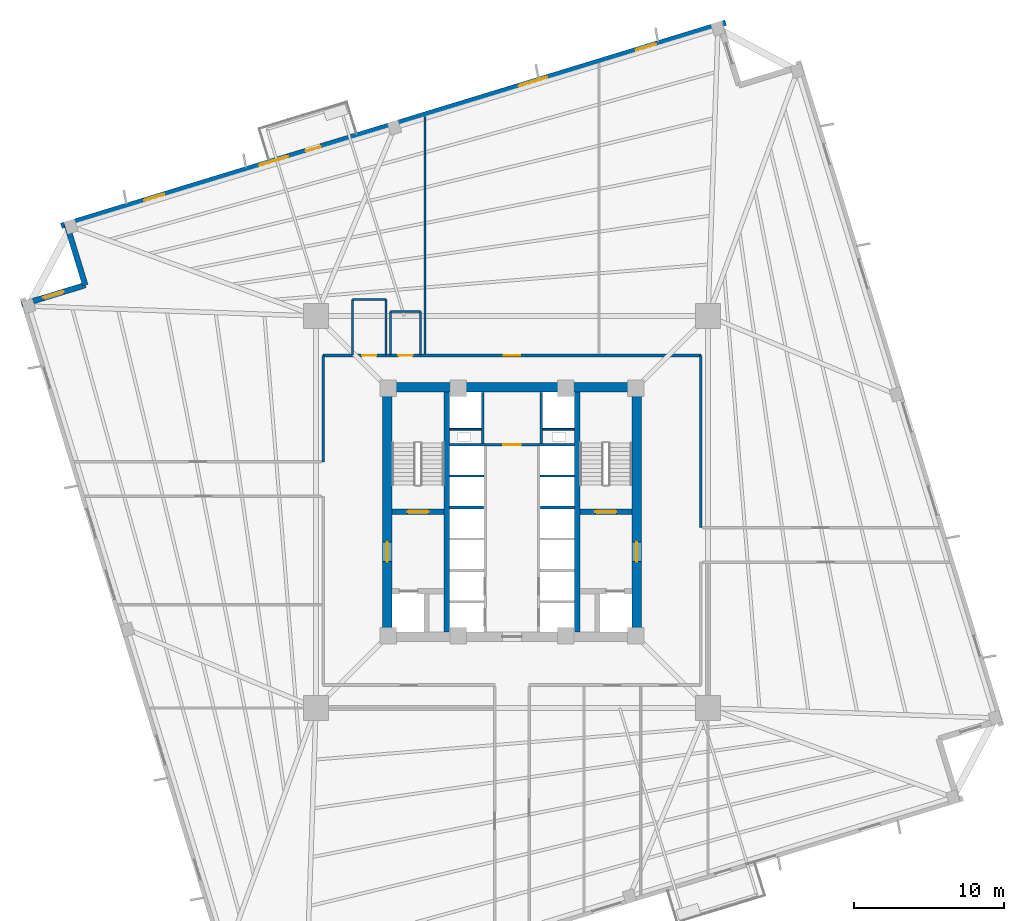
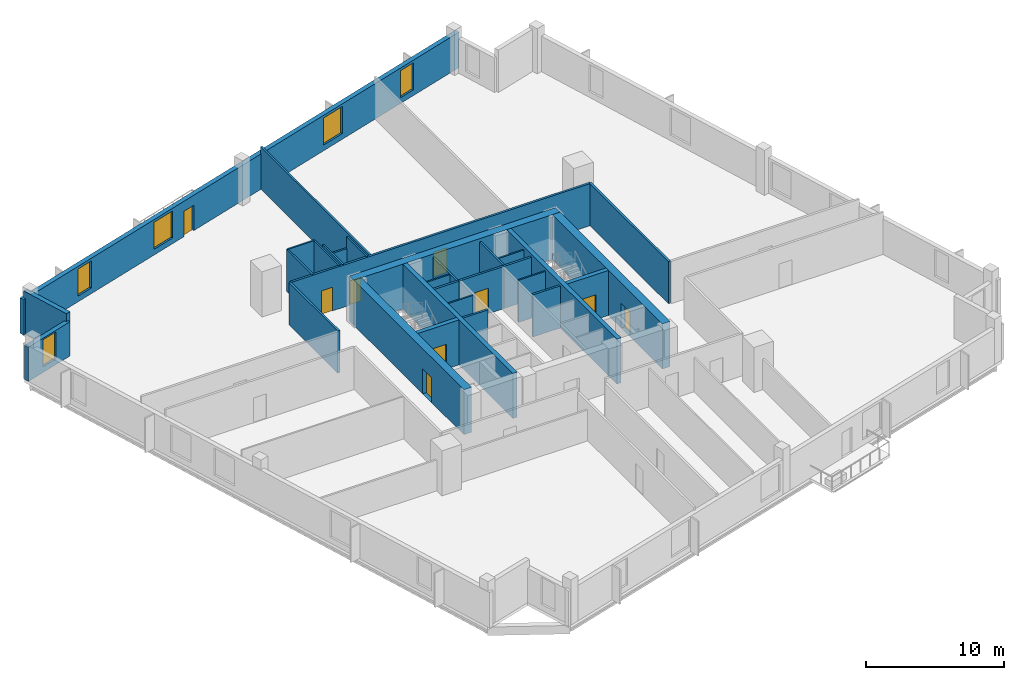
# One storey, part 4 of 8: 31 walls, 9 doors, 5 windows, 14 openings.
"""IFC4 building model written with IfcOpenShell, lengths in metres."""

from ifc_helpers import new_model, si_unit, direction, frame, frame_2d, origin, place, context, subcontext, project, spatial, rectangle, extrude, source, transform, mapped, material, layer, layer_set, type_object, element, fill, save


model = new_model("IFC4")

# Units and contexts
model_context = context("Model", 3, precision=1e-05, world=origin(), true_north=direction((0.0, 1.0)))
body_context = subcontext(model_context, "Body", "Model", "MODEL_VIEW")
ifc_project = project(units=[si_unit("LENGTHUNIT", "METRE"), si_unit("AREAUNIT", "SQUARE_METRE"), si_unit("VOLUMEUNIT", "CUBIC_METRE"), si_unit("PLANEANGLEUNIT", "RADIAN"), si_unit("MASSUNIT", "GRAM", prefix="KILO"), si_unit("THERMODYNAMICTEMPERATUREUNIT", "KELVIN")], contexts=[model_context])

# Site, building, storey
site_placement = place(None, origin())
site = spatial("IfcSite", under=ifc_project, at=site_placement, CompositionType="ELEMENT")
building_placement = place(site_placement, origin())
building = spatial("IfcBuilding", under=site, at=building_placement, Name="Kosmvard Interchange Tower", CompositionType="ELEMENT")
storey_placement = place(building_placement, frame((0.0, 0.0, 111.199951171875)))
storey = spatial("IfcBuildingStorey", under=building, at=storey_placement, Name="L26", CompositionType="ELEMENT", Elevation=111.199951171875)

# Walls
ifc_material_1 = material(Name="Acoustic gypsum partition system")
ifc_layer_1 = layer(ifc_material_1, 0.14990234375, Name="Acoustic gypsum partition system")
ifc_layer_set_1 = layer_set([ifc_layer_1], Name="Acoustic gypsum partition system")
wall_type_1 = type_object("IfcWallType", Name="Acoustic Suite & Meeting Partition 150", PredefinedType="PARTITIONING", material=ifc_layer_set_1)
wall_1_placement = place(storey_placement, frame((-5.800048828125, 10.544921875, 0.0), z_axis=(0.0, 0.0, 1.0), x_axis=(0.0, 1.0, 0.0)))
element("IfcWall", 1, at=wall_1_placement, inside=storey, type_object=wall_type_1, Name="L26 Room Partition 01.1", PredefinedType="PARTITIONING", context=body_context, shape_type="SweptSolid", body=[
    extrude(rectangle(XDim=15.84765625, YDim=0.14990234375, at=frame_2d((7.923828125, 0.0))), origin(), (0.0, 0.0, 1.0), 3.739990234375),
])
ifc_material_2 = material(Name="Fire-rated gypsum partition system")
ifc_layer_2 = layer(ifc_material_2, 0.159912109375, Name="Fire-rated gypsum partition system")
ifc_layer_set_2 = layer_set([ifc_layer_2], Name="Fire-rated gypsum partition system")
wall_type_2 = type_object("IfcWallType", Name="Core Compartment & Shuttle Lobby Partition 160", PredefinedType="PARTITIONING", material=ifc_layer_set_2)
for number, where, z_axis, x_axis, name in (
    (2, (-1.9599609375, 4.580078125, 0.0), (0.0, 0.0, 1.0), (0.0, 1.0, 0.0), "L26 North Core West Wall"),
    (3, (1.9599609375, 4.580078125, 0.0), (0.0, 0.0, 1.0), (0.0, 1.0, 0.0), "L26 North Core East Wall"),
):
    element("IfcWall", number, at=place(storey_placement, frame(where, z_axis=z_axis, x_axis=x_axis)), inside=storey, type_object=wall_type_2, Name=name, PredefinedType="PARTITIONING", context=body_context, shape_type="SweptSolid", body=[
        extrude(rectangle(XDim=3.39990234375, YDim=0.159912109375, at=frame_2d((1.699951171875, 0.0))), origin(), (0.0, 0.0, 1.0), 3.739990234375),
    ])

# Wall, opening, door
ifc_layer_3 = layer(ifc_material_2, 0.179931640625, Name="Fire-rated gypsum partition system")
ifc_layer_set_3 = layer_set([ifc_layer_3], Name="Fire-rated gypsum partition system")
wall_type_3 = type_object("IfcWallType", Name="Corridor & Hotel Compartment Partition 180", PredefinedType="PARTITIONING", material=ifc_layer_set_3)
wall_2_placement = place(storey_placement, frame((-1.8798828125, 4.489990234375, 0.0), z_axis=(0.0, 0.0, 1.0), x_axis=(1.0, 0.0, 0.0)))
wall_2 = element("IfcWall", 4, at=wall_2_placement, inside=storey, type_object=wall_type_3, Name="L26 Lift Lobby North Partition", PredefinedType="PARTITIONING", context=body_context, shape_type="SweptSolid", body=[
    extrude(rectangle(XDim=3.759765625, YDim=0.179931640625, at=frame_2d((1.8798828125, 0.0))), origin(), (0.0, 0.0, 1.0), 3.739990234375),
])
opening_1_placement = place(wall_2_placement, frame((1.304931640625, 0.0, 0.0)))
opening_1 = element("IfcOpeningElement", 5, at=opening_1_placement, cuts=wall_2, Name="Opening L26-KD1", PredefinedType="OPENING", context=body_context, shape_type="SweptSolid", body=[
    extrude(rectangle(XDim=1.14990234375, YDim=2.25, at=frame_2d((0.574951171875, 1.125))), frame((0.0, 0.10009765625, 0.0), z_axis=(0.0, -1.0, 0.0), x_axis=(1.0, 0.0, 0.0)), (0.0, 0.0, 1.0), 0.199951171875),
])
ifc_material_3 = material(Name="Painted fire-rated steel leaf", Category="steel")
door_type_1 = type_object("IfcDoorType", Name="Plant & Riser Fire Door 1150x2250 EI60", OperationType="NOTDEFINED", PredefinedType="DOOR", material=ifc_material_3)
shared_shape_1 = source(origin(), body_context, "Body", "SweptSolid", [
    extrude(rectangle(XDim=1.14990234375, YDim=2.25, at=frame_2d((0.574951171875, 1.125))), frame((0.0, 0.02490234375, 0.0), z_axis=(0.0, -1.0, 0.0), x_axis=(1.0, 0.0, 0.0)), (0.0, 0.0, 1.0), 0.050048828125),
])
door_1_placement = place(opening_1_placement, origin())
door_1 = element("IfcDoor", 6, at=door_1_placement, inside=storey, type_object=door_type_1, Name="L26 Core IT Room Door", OperationType="SINGLE_SWING_LEFT", OverallHeight=2.25, OverallWidth=1.14990234375, PredefinedType="DOOR", context=body_context, shape_type="MappedRepresentation", body=[
    mapped(shared_shape_1, transform((0.0, 0.0, 0.0), scale=1.0)),
])
fill(opening_1, door_1)

# Wall, openings, doors
wall_3_placement = place(storey_placement, frame((-12.60009765625, 10.449951171875, 0.0), z_axis=(0.0, 0.0, 1.0), x_axis=(1.0, 0.0, 0.0)))
wall_3 = element("IfcWall", 7, at=wall_3_placement, inside=storey, type_object=wall_type_3, Name="L26 Corridor Wall CN", PredefinedType="PARTITIONING", context=body_context, shape_type="SweptSolid", body=[
    extrude(rectangle(XDim=25.2001953125, YDim=0.179931640625, at=frame_2d((12.60009765625, 0.0))), origin(), (0.0, 0.0, 1.0), 3.739990234375),
])
opening_2_placement = place(wall_3_placement, frame((5.013916015625, 0.0, 0.0)))
opening_2 = element("IfcOpeningElement", 8, at=opening_2_placement, cuts=wall_3, Name="Opening L26-D01", PredefinedType="OPENING", context=body_context, shape_type="SweptSolid", body=[
    extrude(rectangle(XDim=0.949951171875, YDim=2.10009765625, at=frame_2d((0.47509765625, 1.050048828125))), frame((0.0, 0.10009765625, 0.0), z_axis=(0.0, -1.0, 0.0), x_axis=(1.0, 0.0, 0.0)), (0.0, 0.0, 1.0), 0.199951171875),
])
opening_3_placement = place(wall_3_placement, frame((2.58984375, 0.0, 0.0)))
opening_3 = element("IfcOpeningElement", 9, at=opening_3_placement, cuts=wall_3, Name="Opening L26-D02", PredefinedType="OPENING", context=body_context, shape_type="SweptSolid", body=[
    extrude(rectangle(XDim=0.949951171875, YDim=2.10009765625, at=frame_2d((0.47509765625, 1.050048828125))), frame((0.0, 0.10009765625, 0.0), z_axis=(0.0, -1.0, 0.0), x_axis=(1.0, 0.0, 0.0)), (0.0, 0.0, 1.0), 0.199951171875),
])
opening_4_placement = place(wall_3_placement, frame((12.050048828125, 0.0, 0.0)))
opening_4 = element("IfcOpeningElement", 10, at=opening_4_placement, cuts=wall_3, Name="Opening L26-D04", PredefinedType="OPENING", context=body_context, shape_type="SweptSolid", body=[
    extrude(rectangle(XDim=1.10009765625, YDim=2.199951171875, at=frame_2d((0.550048828125, 1.10009765625))), frame((0.0, 0.10009765625, 0.0), z_axis=(0.0, -1.0, 0.0), x_axis=(1.0, 0.0, 0.0)), (0.0, 0.0, 1.0), 0.199951171875),
])
ifc_material_4 = material(Name="Laminated moisture-resistant timber", Category="wood")
door_type_2 = type_object("IfcDoorType", Name="Accessible Washroom Door 950x2100", OperationType="NOTDEFINED", PredefinedType="DOOR", material=ifc_material_4)
shared_shape_2 = source(origin(), body_context, "Body", "SweptSolid", [
    extrude(rectangle(XDim=0.949951171875, YDim=2.10009765625, at=frame_2d((0.47509765625, 1.050048828125))), frame((0.0, 0.02490234375, 0.0), z_axis=(0.0, -1.0, 0.0), x_axis=(1.0, 0.0, 0.0)), (0.0, 0.0, 1.0), 0.050048828125),
])
door_2_placement = place(opening_2_placement, origin())
door_2 = element("IfcDoor", 11, at=door_2_placement, inside=storey, type_object=door_type_2, Name="L26 Accessible Toilet Door", OperationType="SINGLE_SWING_LEFT", OverallHeight=2.10009765625, OverallWidth=0.949951171875, PredefinedType="DOOR", context=body_context, shape_type="MappedRepresentation", body=[
    mapped(shared_shape_2, transform((0.0, 0.0, 0.0), scale=1.0)),
])
fill(opening_2, door_2)
door_3_placement = place(opening_3_placement, origin())
door_3 = element("IfcDoor", 12, at=door_3_placement, inside=storey, type_object=door_type_2, Name="L26 Public Floor Washroom Door", OperationType="SINGLE_SWING_RIGHT", OverallHeight=2.10009765625, OverallWidth=0.949951171875, PredefinedType="DOOR", context=body_context, shape_type="MappedRepresentation", body=[
    mapped(shared_shape_2, transform((0.0, 0.0, 0.0), scale=1.0)),
])
fill(opening_3, door_3)
ifc_material_5 = material(Name="Engineered oak fire-rated timber", Category="wood")
door_type_3 = type_object("IfcDoorType", Name="Office Suite Entrance Door 1100x2200 FD30S", OperationType="NOTDEFINED", PredefinedType="DOOR", material=ifc_material_5)
shared_shape_3 = source(origin(), body_context, "Body", "SweptSolid", [
    extrude(rectangle(XDim=1.10009765625, YDim=2.199951171875, at=frame_2d((0.550048828125, 1.10009765625))), frame((0.0, 0.02490234375, 0.0), z_axis=(0.0, -1.0, 0.0), x_axis=(1.0, 0.0, 0.0)), (0.0, 0.0, 1.0), 0.050048828125),
])
door_4_placement = place(opening_4_placement, origin())
door_4 = element("IfcDoor", 13, at=door_4_placement, inside=storey, type_object=door_type_3, Name="L26 Central Concierge Reception Door", OperationType="SINGLE_SWING_RIGHT", OverallHeight=2.199951171875, OverallWidth=1.10009765625, PredefinedType="DOOR", context=body_context, shape_type="MappedRepresentation", body=[
    mapped(shared_shape_3, transform((0.0, 0.0, 0.0), scale=1.0)),
])
fill(opening_4, door_4)

# Walls
wall_4_placement = place(storey_placement, frame((-12.60009765625, 3.35009765625, 0.0), z_axis=(0.0, 0.0, 1.0), x_axis=(0.0, 1.0, 0.0)))
element("IfcWall", 14, at=wall_4_placement, inside=storey, type_object=wall_type_3, Name="L26 Corridor Wall CWN", PredefinedType="PARTITIONING", context=body_context, shape_type="SweptSolid", body=[
    extrude(rectangle(XDim=7.099853515625, YDim=0.179931640625, at=frame_2d((3.5498046875, 0.0))), origin(), (0.0, 0.0, 1.0), 3.739990234375),
])
wall_5_placement = place(storey_placement, frame((12.60009765625, -1.050048828125, 0.0), z_axis=(0.0, 0.0, 1.0), x_axis=(0.0, 1.0, 0.0)))
element("IfcWall", 15, at=wall_5_placement, inside=storey, type_object=wall_type_3, Name="L26 Corridor Wall CEN", PredefinedType="PARTITIONING", context=body_context, shape_type="SweptSolid", body=[
    extrude(rectangle(XDim=11.5, YDim=0.179931640625, at=frame_2d((5.75, 0.0))), origin(), (0.0, 0.0, 1.0), 3.739990234375),
])

# Wall, openings, door, windows
ifc_material_6 = material(Name="Precast concrete C45/55", Category="concrete")
ifc_layer_4 = layer(ifc_material_6, 0.3798828125, Name="Precast concrete C45/55")
ifc_layer_set_4 = layer_set([ifc_layer_4], Name="Precast concrete C45/55")
wall_type_4 = type_object("IfcWallType", Name="Lower Tower Precast Pier Wall 380 C45/55", PredefinedType="STANDARD", material=ifc_layer_set_4)
wall_6_placement = place(storey_placement, frame((14.26513671875, 32.65771484375, 0.0), z_axis=(0.0, 0.0, 1.0), x_axis=(-0.956304320851, -0.292373127906, 0.0)))
wall_6 = element("IfcWall", 16, at=wall_6_placement, inside=storey, type_object=wall_type_4, Name="L26 Precast Facade Wall F-N", PredefinedType="STANDARD", context=body_context, shape_type="SweptSolid", body=[
    extrude(rectangle(XDim=46.380126953125, YDim=0.3798828125, at=frame_2d((23.18994140625, 0.0))), origin(), (0.0, 0.0, 1.0), 3.14013671875),
])
opening_5_placement = place(wall_6_placement, frame((28.264892578125, 0.0, 0.0)))
opening_5 = element("IfcOpeningElement", 17, at=opening_5_placement, cuts=wall_6, Name="Opening L26-BDE", PredefinedType="OPENING", context=body_context, shape_type="SweptSolid", body=[
    extrude(rectangle(XDim=1.050048828125, YDim=2.25, at=frame_2d((0.52490234375, 1.125))), frame((0.0, 0.199951171875, 0.0), z_axis=(0.0, -1.0, 0.0), x_axis=(1.0, 0.0, 0.0)), (0.0, 0.0, 1.0), 0.39990234375),
])
opening_6_placement = place(wall_6_placement, frame((4.865478515625, 0.0, 0.510009765625)))
opening_6 = element("IfcOpeningElement", 18, at=opening_6_placement, cuts=wall_6, Name="Opening L26-W11", PredefinedType="OPENING", context=body_context, shape_type="SweptSolid", body=[
    extrude(rectangle(XDim=1.39990234375, YDim=2.39990234375, at=frame_2d((0.699951171875, 1.199951171875))), frame((0.0, 0.199951171875, 0.0), z_axis=(0.0, -1.0, 0.0), x_axis=(1.0, 0.0, 0.0)), (0.0, 0.0, 1.0), 0.39990234375),
])
opening_7_placement = place(wall_6_placement, frame((12.4501953125, 0.0, 0.510009765625)))
opening_7 = element("IfcOpeningElement", 19, at=opening_7_placement, cuts=wall_6, Name="Opening L26-W12", PredefinedType="OPENING", context=body_context, shape_type="SweptSolid", body=[
    extrude(rectangle(XDim=2.0, YDim=2.39990234375, at=frame_2d((1.0, 1.199951171875))), frame((0.0, 0.199951171875, 0.0), z_axis=(0.0, -1.0, 0.0), x_axis=(1.0, 0.0, 0.0)), (0.0, 0.0, 1.0), 0.39990234375),
])
opening_8_placement = place(wall_6_placement, frame((30.538330078125, 0.0, 0.510009765625)))
opening_8 = element("IfcOpeningElement", 20, at=opening_8_placement, cuts=wall_6, Name="Opening L26-W13", PredefinedType="OPENING", context=body_context, shape_type="SweptSolid", body=[
    extrude(rectangle(XDim=2.0, YDim=2.39990234375, at=frame_2d((1.0, 1.199951171875))), frame((0.0, 0.199951171875, 0.0), z_axis=(0.0, -1.0, 0.0), x_axis=(1.0, 0.0, 0.0)), (0.0, 0.0, 1.0), 0.39990234375),
])
opening_9_placement = place(wall_6_placement, frame((39.186767578125, 0.0, 0.510009765625)))
opening_9 = element("IfcOpeningElement", 21, at=opening_9_placement, cuts=wall_6, Name="Opening L26-W14", PredefinedType="OPENING", context=body_context, shape_type="SweptSolid", body=[
    extrude(rectangle(XDim=1.39990234375, YDim=2.39990234375, at=frame_2d((0.699951171875, 1.199951171875))), frame((0.0, 0.199951171875, 0.0), z_axis=(0.0, -1.0, 0.0), x_axis=(1.0, 0.0, 0.0)), (0.0, 0.0, 1.0), 0.39990234375),
])
ifc_material_7 = material(Name="Anodised aluminium and safety glass", Category="aluminium")
door_type_4 = type_object("IfcDoorType", Name="Tree-Balcony Glazed Door 1050x2250", OperationType="NOTDEFINED", PredefinedType="DOOR", material=ifc_material_7)
shared_shape_4 = source(origin(), body_context, "Body", "SweptSolid", [
    extrude(rectangle(XDim=1.050048828125, YDim=2.25, at=frame_2d((0.52490234375, 1.125))), frame((0.0, 0.02490234375, 0.0), z_axis=(0.0, -1.0, 0.0), x_axis=(1.0, 0.0, 0.0)), (0.0, 0.0, 1.0), 0.050048828125),
])
door_5_placement = place(opening_5_placement, origin())
door_5 = element("IfcDoor", 22, at=door_5_placement, inside=storey, type_object=door_type_4, Name="L26 Tree-Balcony Door BAL-L26-NE", OperationType="SINGLE_SWING_LEFT", OverallHeight=2.25, OverallWidth=1.050048828125, PredefinedType="DOOR", context=body_context, shape_type="MappedRepresentation", body=[
    mapped(shared_shape_4, transform((0.0, 0.0, 0.0), scale=1.0)),
])
fill(opening_5, door_5)
ifc_material_8 = material(Name="Low-E solar-control double glazing", Category="glass")
window_type_1 = type_object("IfcWindowType", Name="Notched Corner Feature Window 1400x2400", PartitioningType="SINGLE_PANEL", PredefinedType="WINDOW", material=ifc_material_8)
shared_shape_5 = source(origin(), body_context, "Body", "SweptSolid", [
    extrude(rectangle(XDim=1.39990234375, YDim=2.39990234375, at=frame_2d((0.699951171875, 1.199951171875))), frame((0.0, 0.030029296875, 0.0), z_axis=(0.0, -1.0, 0.0), x_axis=(1.0, 0.0, 0.0)), (0.0, 0.0, 1.0), 0.06005859375),
])
window_1_placement = place(opening_6_placement, origin())
window_1 = element("IfcWindow", 23, at=window_1_placement, inside=storey, type_object=window_type_1, Name="L26 Facade Punched Window 11", OverallHeight=2.39990234375, OverallWidth=1.39990234375, PartitioningType="SINGLE_PANEL", PredefinedType="WINDOW", context=body_context, shape_type="MappedRepresentation", body=[
    mapped(shared_shape_5, transform((0.0, 0.0, 0.0), scale=1.0)),
])
fill(opening_6, window_1)
window_2_placement = place(opening_9_placement, origin())
window_2 = element("IfcWindow", 24, at=window_2_placement, inside=storey, type_object=window_type_1, Name="L26 Facade Punched Window 14", OverallHeight=2.39990234375, OverallWidth=1.39990234375, PartitioningType="SINGLE_PANEL", PredefinedType="WINDOW", context=body_context, shape_type="MappedRepresentation", body=[
    mapped(shared_shape_5, transform((0.0, 0.0, 0.0), scale=1.0)),
])
fill(opening_9, window_2)
window_type_2 = type_object("IfcWindowType", Name="Zone 2 Office Punched Window 2000x2400", PartitioningType="SINGLE_PANEL", PredefinedType="WINDOW", material=ifc_material_8)
shared_shape_6 = source(origin(), body_context, "Body", "SweptSolid", [
    extrude(rectangle(XDim=2.0, YDim=2.39990234375, at=frame_2d((1.0, 1.199951171875))), frame((0.0, 0.030029296875, 0.0), z_axis=(0.0, -1.0, 0.0), x_axis=(1.0, 0.0, 0.0)), (0.0, 0.0, 1.0), 0.06005859375),
])
window_3_placement = place(opening_7_placement, origin())
window_3 = element("IfcWindow", 25, at=window_3_placement, inside=storey, type_object=window_type_2, Name="L26 Facade Punched Window 12", OverallHeight=2.39990234375, OverallWidth=2.0, PartitioningType="SINGLE_PANEL", PredefinedType="WINDOW", context=body_context, shape_type="MappedRepresentation", body=[
    mapped(shared_shape_6, transform((0.0, 0.0, 0.0), scale=1.0)),
])
fill(opening_7, window_3)
window_4_placement = place(opening_8_placement, origin())
window_4 = element("IfcWindow", 26, at=window_4_placement, inside=storey, type_object=window_type_2, Name="L26 Facade Punched Window 13", OverallHeight=2.39990234375, OverallWidth=2.0, PartitioningType="SINGLE_PANEL", PredefinedType="WINDOW", context=body_context, shape_type="MappedRepresentation", body=[
    mapped(shared_shape_6, transform((0.0, 0.0, 0.0), scale=1.0)),
])
fill(opening_8, window_4)

# Wall
wall_7_placement = place(storey_placement, frame((-29.724853515625, 19.20849609375, 0.0), z_axis=(0.0, 0.0, 1.0), x_axis=(0.292345507338, -0.956312764915, 0.0)))
element("IfcWall", 27, at=wall_7_placement, inside=storey, type_object=wall_type_4, Name="L26 Precast Facade Wall N-NW1", PredefinedType="STANDARD", context=body_context, shape_type="SweptSolid", body=[
    extrude(rectangle(XDim=4.249755859375, YDim=0.3798828125, at=frame_2d((2.125, 0.0))), origin(), (0.0, 0.0, 1.0), 3.739990234375),
])

# Wall, opening, window
wall_8_placement = place(storey_placement, frame((-28.482421875, 15.144287109375, 0.0), z_axis=(0.0, 0.0, 1.0), x_axis=(-0.956304176051, -0.292373601522, 0.0)))
wall_8 = element("IfcWall", 28, at=wall_8_placement, inside=storey, type_object=wall_type_4, Name="L26 Precast Facade Wall N-NW2", PredefinedType="STANDARD", context=body_context, shape_type="SweptSolid", body=[
    extrude(rectangle(XDim=4.43994140625, YDim=0.3798828125, at=frame_2d((2.219970703125, 0.0))), origin(), (0.0, 0.0, 1.0), 3.0400390625),
])
opening_10_placement = place(wall_8_placement, frame((1.52001953125, 0.0, 0.510009765625)))
opening_10 = element("IfcOpeningElement", 29, at=opening_10_placement, cuts=wall_8, Name="Opening L26-W22", PredefinedType="OPENING", context=body_context, shape_type="SweptSolid", body=[
    extrude(rectangle(XDim=1.39990234375, YDim=2.39990234375, at=frame_2d((0.699951171875, 1.199951171875))), frame((0.0, 0.199951171875, 0.0), z_axis=(0.0, -1.0, 0.0), x_axis=(1.0, 0.0, 0.0)), (0.0, 0.0, 1.0), 0.39990234375),
])
window_5_placement = place(opening_10_placement, origin())
window_5 = element("IfcWindow", 30, at=window_5_placement, inside=storey, type_object=window_type_1, Name="L26 Corner Notch Window 22", OverallHeight=2.39990234375, OverallWidth=1.39990234375, PartitioningType="SINGLE_PANEL", PredefinedType="WINDOW", context=body_context, shape_type="MappedRepresentation", body=[
    mapped(shared_shape_5, transform((0.0, 0.0, 0.0), scale=1.0)),
])
fill(opening_10, window_5)

# Wall
ifc_material_9 = material(Name="Concrete C70/85", Category="concrete")
ifc_layer_5 = layer(ifc_material_9, 0.64990234375, Name="Concrete C70/85")
ifc_layer_set_5 = layer_set([ifc_layer_5], Name="Concrete C70/85")
wall_type_5 = type_object("IfcWallType", Name="Mid Core Shear Wall 650 C70/85", PredefinedType="SHEAR", material=ifc_layer_set_5)
wall_9_placement = place(storey_placement, frame((-8.64990234375, 8.324951171875, 0.0), z_axis=(0.0, 0.0, 1.0), x_axis=(1.0, 0.0, 0.0)))
element("IfcWall", 31, at=wall_9_placement, inside=storey, type_object=wall_type_5, Name="L26 Core Shear Wall CW-N", PredefinedType="SHEAR", context=body_context, shape_type="SweptSolid", body=[
    extrude(rectangle(XDim=17.2998046875, YDim=0.64990234375, at=frame_2d((8.64990234375, 0.0))), origin(), (0.0, 0.0, 1.0), 4.0),
])

# Wall, opening, door
wall_10_placement = place(storey_placement, frame((-8.324951171875, -8.0, 0.0), z_axis=(0.0, 0.0, 1.0), x_axis=(0.0, 1.0, 0.0)))
wall_10 = element("IfcWall", 32, at=wall_10_placement, inside=storey, type_object=wall_type_5, Name="L26 Core Shear Wall CW-W", PredefinedType="SHEAR", context=body_context, shape_type="SweptSolid", body=[
    extrude(rectangle(XDim=16.0, YDim=0.64990234375, at=frame_2d((8.0, 0.0))), origin(), (0.0, 0.0, 1.0), 4.0),
])
opening_11_placement = place(wall_10_placement, frame((4.68994140625, 0.0, 0.0)))
opening_11 = element("IfcOpeningElement", 33, at=opening_11_placement, cuts=wall_10, Name="Opening L26-FD1", PredefinedType="OPENING", context=body_context, shape_type="SweptSolid", body=[
    extrude(rectangle(XDim=1.300048828125, YDim=2.199951171875, at=frame_2d((0.64990234375, 1.10009765625))), frame((0.0, 0.3349609375, 0.0), z_axis=(0.0, -1.0, 0.0), x_axis=(1.0, 0.0, 0.0)), (0.0, 0.0, 1.0), 0.669921875),
])
door_type_5 = type_object("IfcDoorType", Name="Firefighting Lobby Door 1300x2200 EI60", OperationType="NOTDEFINED", PredefinedType="DOOR", material=ifc_material_3)
shared_shape_7 = source(origin(), body_context, "Body", "SweptSolid", [
    extrude(rectangle(XDim=1.300048828125, YDim=2.199951171875, at=frame_2d((0.64990234375, 1.10009765625))), frame((0.0, 0.02490234375, 0.0), z_axis=(0.0, -1.0, 0.0), x_axis=(1.0, 0.0, 0.0)), (0.0, 0.0, 1.0), 0.050048828125),
])
door_6_placement = place(opening_11_placement, frame((1.300048828125, 0.0, 0.0), z_axis=(0.0, 0.0, 1.0), x_axis=(-1.0, 0.0, 0.0)))
door_6 = element("IfcDoor", 34, at=door_6_placement, inside=storey, type_object=door_type_5, Name="L26 Firefighting Lobby West Door", OperationType="SINGLE_SWING_LEFT", OverallHeight=2.199951171875, OverallWidth=1.300048828125, PredefinedType="DOOR", context=body_context, shape_type="MappedRepresentation", body=[
    mapped(shared_shape_7, transform((0.0, 0.0, 0.0), scale=1.0)),
])
fill(opening_11, door_6)

wall_11_placement = place(storey_placement, frame((8.324951171875, -8.0, 0.0), z_axis=(0.0, 0.0, 1.0), x_axis=(0.0, 1.0, 0.0)))
wall_11 = element("IfcWall", 35, at=wall_11_placement, inside=storey, type_object=wall_type_5, Name="L26 Core Shear Wall CW-E", PredefinedType="SHEAR", context=body_context, shape_type="SweptSolid", body=[
    extrude(rectangle(XDim=16.0, YDim=0.64990234375, at=frame_2d((8.0, 0.0))), origin(), (0.0, 0.0, 1.0), 4.0),
])
opening_12_placement = place(wall_11_placement, frame((4.68994140625, 0.0, 0.0)))
opening_12 = element("IfcOpeningElement", 36, at=opening_12_placement, cuts=wall_11, Name="Opening L26-FD2", PredefinedType="OPENING", context=body_context, shape_type="SweptSolid", body=[
    extrude(rectangle(XDim=1.300048828125, YDim=2.199951171875, at=frame_2d((0.64990234375, 1.10009765625))), frame((0.0, 0.3349609375, 0.0), z_axis=(0.0, -1.0, 0.0), x_axis=(1.0, 0.0, 0.0)), (0.0, 0.0, 1.0), 0.669921875),
])
door_7_placement = place(opening_12_placement, origin())
door_7 = element("IfcDoor", 37, at=door_7_placement, inside=storey, type_object=door_type_5, Name="L26 Firefighting Lobby East Door", OperationType="SINGLE_SWING_RIGHT", OverallHeight=2.199951171875, OverallWidth=1.300048828125, PredefinedType="DOOR", context=body_context, shape_type="MappedRepresentation", body=[
    mapped(shared_shape_7, transform((0.0, 0.0, 0.0), scale=1.0)),
])
fill(opening_12, door_7)

# Walls
ifc_material_10 = material(Name="Concrete blockwork masonry", Category="masonry")
ifc_layer_6 = layer(ifc_material_10, 0.179931640625, Name="Concrete blockwork masonry")
ifc_layer_set_6 = layer_set([ifc_layer_6], Name="Concrete blockwork masonry")
wall_type_6 = type_object("IfcWallType", Name="Riser & Lift Bank Divider Wall 180", PredefinedType="PARTITIONING", material=ifc_layer_set_6)
for number, where, z_axis, x_axis, name in (
    (38, (-4.169921875, 0.300048828125, 0.0), (0.0, 0.0, 1.0), (1.0, 0.0, 0.0), "L26 West Bank Divider BD2"),
    (39, (1.889892578125, 0.300048828125, 0.0), (0.0, 0.0, 1.0), (1.0, 0.0, 0.0), "L26 East Bank Divider BD2"),
    (40, (-4.169921875, 4.489990234375, 0.0), (0.0, 0.0, 1.0), (1.0, 0.0, 0.0), "L26 West Bank Divider BD3"),
    (41, (1.889892578125, 4.489990234375, 0.0), (0.0, 0.0, 1.0), (1.0, 0.0, 0.0), "L26 East Bank Divider BD3"),
):
    element("IfcWall", number, at=place(storey_placement, frame(where, z_axis=z_axis, x_axis=x_axis)), inside=storey, type_object=wall_type_6, Name=name, PredefinedType="PARTITIONING", context=body_context, shape_type="SweptSolid", body=[
        extrude(rectangle(XDim=2.280029296875, YDim=0.179931640625, at=frame_2d((1.14013671875, 0.0))), origin(), (0.0, 0.0, 1.0), 3.739990234375),
    ])
ifc_material_11 = material(Name="Fire-rated gypsum shaftwall system")
ifc_layer_7 = layer(ifc_material_11, 0.1201171875, Name="Fire-rated gypsum shaftwall system")
ifc_layer_set_7 = layer_set([ifc_layer_7], Name="Fire-rated gypsum shaftwall system")
wall_type_7 = type_object("IfcWallType", Name="Shaft & Riser Fire Partition 120 EI60", PredefinedType="PARTITIONING", material=ifc_layer_set_7)
for number, where, z_axis, x_axis, name in (
    (42, (-4.159912109375, 2.39990234375, 0.0), (0.0, 0.0, 1.0), (1.0, 0.0, 0.0), "L26 Shaft Divider PL-H1"),
    (43, (1.89990234375, 2.39990234375, 0.0), (0.0, 0.0, 1.0), (1.0, 0.0, 0.0), "L26 Shaft Divider PL-H3"),
):
    element("IfcWall", number, at=place(storey_placement, frame(where, z_axis=z_axis, x_axis=x_axis)), inside=storey, type_object=wall_type_7, Name=name, PredefinedType="PARTITIONING", context=body_context, shape_type="SweptSolid", body=[
        extrude(rectangle(XDim=2.260009765625, YDim=0.1201171875, at=frame_2d((1.1298828125, 0.0))), origin(), (0.0, 0.0, 1.0), 3.739990234375),
    ])
for number, where, z_axis, x_axis, name in (
    (44, (-4.159912109375, 5.52001953125, 0.0), (0.0, 0.0, 1.0), (1.0, 0.0, 0.0), "L26 Riser Shaft Divider W"),
    (45, (2.06005859375, 5.52001953125, 0.0), (0.0, 0.0, 1.0), (1.0, 0.0, 0.0), "L26 Riser Shaft Divider E"),
):
    element("IfcWall", number, at=place(storey_placement, frame(where, z_axis=z_axis, x_axis=x_axis)), inside=storey, type_object=wall_type_7, Name=name, PredefinedType="PARTITIONING", context=body_context, shape_type="SweptSolid", body=[
        extrude(rectangle(XDim=2.099853515625, YDim=0.1201171875, at=frame_2d((1.0498046875, 0.0))), origin(), (0.0, 0.0, 1.0), 3.739990234375),
    ])
ifc_material_12 = material(Name="Concrete C60/75", Category="concrete")
ifc_layer_8 = layer(ifc_material_12, 0.360107421875, Name="Concrete C60/75")
ifc_layer_set_8 = layer_set([ifc_layer_8], Name="Concrete C60/75")
wall_type_8 = type_object("IfcWallType", Name="Stair & Lift Shaft Shear Wall 360 C60/75", PredefinedType="SHEAR", material=ifc_layer_set_8)
for number, where, z_axis, x_axis, name in (
    (46, (-4.360107421875, -8.0, 0.0), (0.0, 0.0, 1.0), (0.0, 1.0, 0.0), "L26 Shaft Shear Wall SW-W"),
    (47, (4.360107421875, -8.0, 0.0), (0.0, 0.0, 1.0), (0.0, 1.0, 0.0), "L26 Shaft Shear Wall SW-E"),
):
    element("IfcWall", number, at=place(storey_placement, frame(where, z_axis=z_axis, x_axis=x_axis)), inside=storey, type_object=wall_type_8, Name=name, PredefinedType="SHEAR", context=body_context, shape_type="SweptSolid", body=[
        extrude(rectangle(XDim=16.0, YDim=0.360107421875, at=frame_2d((8.0, 0.0))), origin(), (0.0, 0.0, 1.0), 4.0),
    ])

# Wall, opening, door
wall_12_placement = place(storey_placement, frame((-8.0, 0.02001953125, 0.0), z_axis=(0.0, 0.0, 1.0), x_axis=(1.0, 0.0, 0.0)))
wall_12 = element("IfcWall", 48, at=wall_12_placement, inside=storey, type_object=wall_type_8, Name="L26 Shaft Shear Wall SW-ST1", PredefinedType="SHEAR", context=body_context, shape_type="SweptSolid", body=[
    extrude(rectangle(XDim=3.4599609375, YDim=0.360107421875, at=frame_2d((1.72998046875, 0.0))), origin(), (0.0, 0.0, 1.0), 4.0),
])
opening_13_placement = place(wall_12_placement, frame((1.030029296875, 0.0, 0.0)))
opening_13 = element("IfcOpeningElement", 49, at=opening_13_placement, cuts=wall_12, Name="Opening L26-SD1", PredefinedType="OPENING", context=body_context, shape_type="SweptSolid", body=[
    extrude(rectangle(XDim=1.39990234375, YDim=2.199951171875, at=frame_2d((0.699951171875, 1.10009765625))), frame((0.0, 0.18994140625, 0.0), z_axis=(0.0, -1.0, 0.0), x_axis=(1.0, 0.0, 0.0)), (0.0, 0.0, 1.0), 0.380126953125),
])
door_type_6 = type_object("IfcDoorType", Name="Protected Stair Door 1400x2200 FD60S", OperationType="NOTDEFINED", PredefinedType="DOOR", material=ifc_material_3)
shared_shape_8 = source(origin(), body_context, "Body", "SweptSolid", [
    extrude(rectangle(XDim=1.39990234375, YDim=2.199951171875, at=frame_2d((0.699951171875, 1.10009765625))), frame((0.0, 0.02490234375, 0.0), z_axis=(0.0, -1.0, 0.0), x_axis=(1.0, 0.0, 0.0)), (0.0, 0.0, 1.0), 0.050048828125),
])
door_8_placement = place(opening_13_placement, origin())
door_8 = element("IfcDoor", 50, at=door_8_placement, inside=storey, type_object=door_type_6, Name="L26 Stair ST-1 Enclosure Door", OperationType="SINGLE_SWING_LEFT", OverallHeight=2.199951171875, OverallWidth=1.39990234375, PredefinedType="DOOR", context=body_context, shape_type="MappedRepresentation", body=[
    mapped(shared_shape_8, transform((0.0, 0.0, 0.0), scale=1.0)),
])
fill(opening_13, door_8)

wall_13_placement = place(storey_placement, frame((4.5400390625, 0.02001953125, 0.0), z_axis=(0.0, 0.0, 1.0), x_axis=(1.0, 0.0, 0.0)))
wall_13 = element("IfcWall", 51, at=wall_13_placement, inside=storey, type_object=wall_type_8, Name="L26 Shaft Shear Wall SW-ST2", PredefinedType="SHEAR", context=body_context, shape_type="SweptSolid", body=[
    extrude(rectangle(XDim=3.4599609375, YDim=0.360107421875, at=frame_2d((1.72998046875, 0.0))), origin(), (0.0, 0.0, 1.0), 4.0),
])
opening_14_placement = place(wall_13_placement, frame((1.030029296875, 0.0, 0.0)))
opening_14 = element("IfcOpeningElement", 52, at=opening_14_placement, cuts=wall_13, Name="Opening L26-SD2", PredefinedType="OPENING", context=body_context, shape_type="SweptSolid", body=[
    extrude(rectangle(XDim=1.39990234375, YDim=2.199951171875, at=frame_2d((0.699951171875, 1.10009765625))), frame((0.0, 0.18994140625, 0.0), z_axis=(0.0, -1.0, 0.0), x_axis=(1.0, 0.0, 0.0)), (0.0, 0.0, 1.0), 0.380126953125),
])
door_9_placement = place(opening_14_placement, origin())
door_9 = element("IfcDoor", 53, at=door_9_placement, inside=storey, type_object=door_type_6, Name="L26 Stair ST-2 Enclosure Door", OperationType="SINGLE_SWING_RIGHT", OverallHeight=2.199951171875, OverallWidth=1.39990234375, PredefinedType="DOOR", context=body_context, shape_type="MappedRepresentation", body=[
    mapped(shared_shape_8, transform((0.0, 0.0, 0.0), scale=1.0)),
])
fill(opening_14, door_9)

# Walls
ifc_material_13 = material(Name="Moisture-resistant gypsum partition")
ifc_layer_9 = layer(ifc_material_13, 0.135009765625, Name="Moisture-resistant gypsum partition")
ifc_layer_set_9 = layer_set([ifc_layer_9], Name="Moisture-resistant gypsum partition")
wall_type_9 = type_object("IfcWallType", Name="Wet Room Moisture-Resistant Partition 135", PredefinedType="PARTITIONING", material=ifc_layer_set_9)
wall_14_placement = place(storey_placement, frame((-6.111083984375, 10.469970703125, 0.0), z_axis=(0.0, 0.0, 1.0), x_axis=(0.0, 1.0, 0.0)))
element("IfcWall", 54, at=wall_14_placement, inside=storey, type_object=wall_type_9, Name="L26 Washroom Partition AWC1-E", PredefinedType="PARTITIONING", context=body_context, shape_type="SweptSolid", body=[
    extrude(rectangle(XDim=2.900146484375, YDim=0.135009765625, at=frame_2d((1.4501953125, 0.0))), origin(), (0.0, 0.0, 1.0), 3.739990234375),
])
wall_15_placement = place(storey_placement, frame((-8.111083984375, 13.3701171875, 0.0), z_axis=(0.0, 0.0, 1.0), x_axis=(1.0, 0.0, 0.0)))
element("IfcWall", 55, at=wall_15_placement, inside=storey, type_object=wall_type_9, Name="L26 Washroom Partition AWC1-N", PredefinedType="PARTITIONING", context=body_context, shape_type="SweptSolid", body=[
    extrude(rectangle(XDim=2.0, YDim=0.135009765625, at=frame_2d((1.0, 0.0))), origin(), (0.0, 0.0, 1.0), 2.73193359375),
])
wall_16_placement = place(storey_placement, frame((-8.111083984375, 10.469970703125, 0.0), z_axis=(0.0, 0.0, 1.0), x_axis=(0.0, 1.0, 0.0)))
element("IfcWall", 56, at=wall_16_placement, inside=storey, type_object=wall_type_9, Name="L26 Washroom Partition AWC1-W", PredefinedType="PARTITIONING", context=body_context, shape_type="SweptSolid", body=[
    extrude(rectangle(XDim=2.900146484375, YDim=0.135009765625, at=frame_2d((1.4501953125, 0.0))), origin(), (0.0, 0.0, 1.0), 3.739990234375),
])
wall_17_placement = place(storey_placement, frame((-8.41015625, 10.469970703125, 0.0), z_axis=(0.0, 0.0, 1.0), x_axis=(0.0, 1.0, 0.0)))
element("IfcWall", 57, at=wall_17_placement, inside=storey, type_object=wall_type_9, Name="L26 Washroom Partition WC1-E", PredefinedType="PARTITIONING", context=body_context, shape_type="SweptSolid", body=[
    extrude(rectangle(XDim=3.699951171875, YDim=0.135009765625, at=frame_2d((1.85009765625, 0.0))), origin(), (0.0, 0.0, 1.0), 3.739990234375),
])
wall_18_placement = place(storey_placement, frame((-10.66015625, 14.169921875, 0.0), z_axis=(0.0, 0.0, 1.0), x_axis=(1.0, 0.0, 0.0)))
element("IfcWall", 58, at=wall_18_placement, inside=storey, type_object=wall_type_9, Name="L26 Washroom Partition WC1-N", PredefinedType="PARTITIONING", context=body_context, shape_type="SweptSolid", body=[
    extrude(rectangle(XDim=2.25, YDim=0.135009765625, at=frame_2d((1.125, 0.0))), origin(), (0.0, 0.0, 1.0), 3.739990234375),
])
wall_19_placement = place(storey_placement, frame((-10.66015625, 10.469970703125, 0.0), z_axis=(0.0, 0.0, 1.0), x_axis=(0.0, 1.0, 0.0)))
element("IfcWall", 59, at=wall_19_placement, inside=storey, type_object=wall_type_9, Name="L26 Washroom Partition WC1-W", PredefinedType="PARTITIONING", context=body_context, shape_type="SweptSolid", body=[
    extrude(rectangle(XDim=3.699951171875, YDim=0.135009765625, at=frame_2d((1.85009765625, 0.0))), origin(), (0.0, 0.0, 1.0), 3.739990234375),
])

save(model, "model.ifc")
